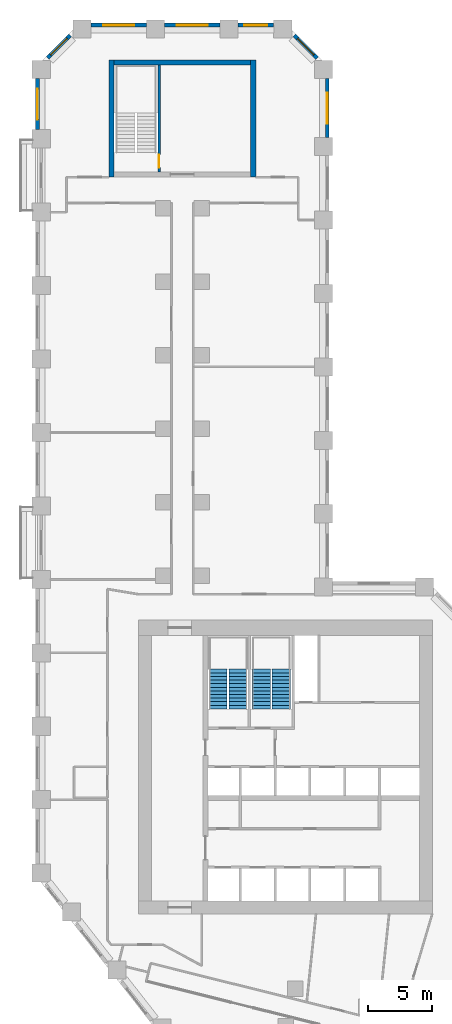
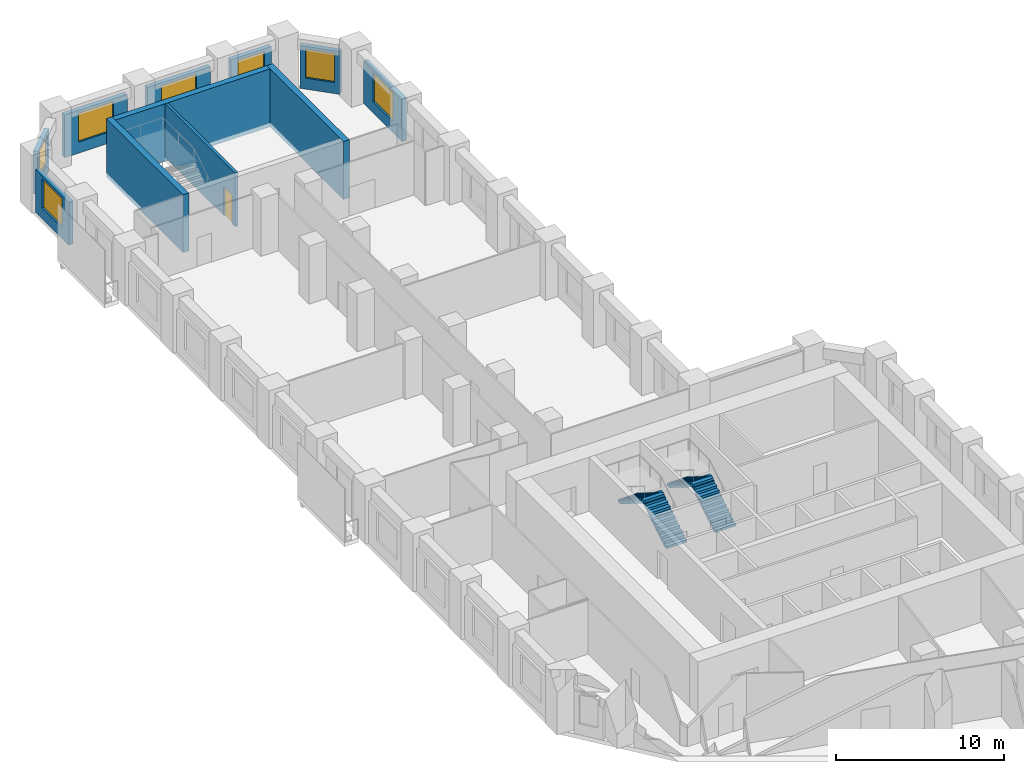
# One storey, part 9 of 11: 11 walls, 7 windows, 4 stair flights, 1 door, 8 openings, 2 elements without a shape of their own.
"""IFC4 building model written with IfcOpenShell, lengths in metres."""

from ifc_helpers import new_model, si_unit, direction, frame, frame_2d, origin, place, context, subcontext, project, spatial, polyline, rectangle, outline, extrude, material, layer, layer_set, type_object, element, fill, aggregate, save


model = new_model("IFC4")

# Units and contexts
model_context = context("Model", 3, precision=1e-05, world=origin(), true_north=direction((0.0, 1.0)))
body_context = subcontext(model_context, "Body", "Model", "MODEL_VIEW")
ifc_project = project(units=[si_unit("LENGTHUNIT", "METRE"), si_unit("AREAUNIT", "SQUARE_METRE"), si_unit("VOLUMEUNIT", "CUBIC_METRE"), si_unit("PLANEANGLEUNIT", "RADIAN"), si_unit("MASSUNIT", "GRAM", prefix="KILO")], contexts=[model_context])

# Site, building, storey
site_placement = place(None, origin())
site = spatial("IfcSite", under=ifc_project, at=site_placement, CompositionType="ELEMENT")
building_placement = place(site_placement, origin())
building = spatial("IfcBuilding", under=site, at=building_placement, Name="Meshkara Civic Tower", CompositionType="ELEMENT")
storey_placement = place(building_placement, frame((0.0, 0.0, 45.60009765625)))
storey = spatial("IfcBuildingStorey", under=building, at=storey_placement, Name="L09", CompositionType="ELEMENT", Elevation=45.60009765625)

# Wall, opening, window
ifc_material_1 = material(Name="Insulated infill panel with bronze anodised aluminium cladding", Category="aluminium")
ifc_layer_1 = layer(ifc_material_1, 0.300048828125)
ifc_layer_set_1 = layer_set([ifc_layer_1], Name="EXTERNAL INFILL WALL 300")
wall_type_1 = type_object("IfcWallType", Name="EXTERNAL INFILL WALL 300", PredefinedType="SOLIDWALL", material=ifc_layer_set_1)
wall_1_placement = place(storey_placement, frame((22.64990234375, 74.35009765625, 0.0), z_axis=(0.0, 0.0, 1.0), x_axis=(0.0, 1.0, 0.0)))
wall_1 = element("IfcWall", 1, at=wall_1_placement, inside=storey, type_object=wall_type_1, Name="External wall", PredefinedType="SOLIDWALL", context=body_context, shape_type="SweptSolid", body=[
    extrude(rectangle(XDim=4.56396484375, YDim=0.300048828125, at=frame_2d((2.281982421875, 0.0))), origin(), (0.0, 0.0, 1.0), 3.099853515625),
])
opening_1_placement = place(wall_1_placement, frame((1.08203125, 0.0, 0.800048828125)))
opening_1 = element("IfcOpeningElement", 2, at=opening_1_placement, cuts=wall_1, Name="Opening W7", PredefinedType="OPENING", context=body_context, shape_type="SweptSolid", body=[
    extrude(rectangle(XDim=2.39990234375, YDim=2.10009765625, at=frame_2d((1.199951171875, 1.050048828125))), frame((0.0, 0.159912109375, 0.0), z_axis=(0.0, -1.0, 0.0), x_axis=(1.0, 0.0, 0.0)), (0.0, 0.0, 1.0), 0.320068359375),
])
ifc_material_2 = material(Name="Tinted double glazing", Category="glass")
window_type_1 = type_object("IfcWindowType", Name="WINDOW 2400x2100", PartitioningType="DOUBLE_PANEL_VERTICAL", PredefinedType="WINDOW", material=ifc_material_2)
window_1_placement = place(opening_1_placement, origin())
window_1 = element("IfcWindow", 3, at=window_1_placement, inside=storey, type_object=window_type_1, Name="Window", OverallHeight=2.10009765625, OverallWidth=2.39990234375, PartitioningType="DOUBLE_PANEL_VERTICAL", PredefinedType="WINDOW", context=body_context, shape_type="SweptSolid", body=[
    extrude(rectangle(XDim=2.39990234375, YDim=2.10009765625, at=frame_2d((1.199951171875, 1.050048828125))), frame((0.0, 0.030029296875, 0.0), z_axis=(0.0, -1.0, 0.0), x_axis=(1.0, 0.0, 0.0)), (0.0, 0.0, 1.0), 0.06005859375),
])
fill(opening_1, window_1)

wall_2_placement = place(storey_placement, frame((21.862060546875, 80.52587890625, 0.0), z_axis=(0.0, 0.0, 1.0), x_axis=(-0.707106781187, 0.707106781187, 0.0)))
wall_2 = element("IfcWall", 4, at=wall_2_placement, inside=storey, type_object=wall_type_1, Name="External wall", PredefinedType="SOLIDWALL", context=body_context, shape_type="SweptSolid", body=[
    extrude(rectangle(XDim=2.4833984375, YDim=0.300048828125, at=frame_2d((1.24169921875, 0.0))), origin(), (0.0, 0.0, 1.0), 3.099853515625),
])
opening_2_placement = place(wall_2_placement, frame((0.342041015625, 0.0, 0.800048828125)))
opening_2 = element("IfcOpeningElement", 5, at=opening_2_placement, cuts=wall_2, Name="Opening W9", PredefinedType="OPENING", context=body_context, shape_type="SweptSolid", body=[
    extrude(rectangle(XDim=1.800048828125, YDim=2.10009765625, at=frame_2d((0.89990234375, 1.050048828125))), frame((0.0, 0.159912109375, 0.0), z_axis=(0.0, -1.0, 0.0), x_axis=(1.0, 0.0, 0.0)), (0.0, 0.0, 1.0), 0.320068359375),
])
ifc_material_3 = material(Name="Tinted double glazing", Category="glass")
window_type_2 = type_object("IfcWindowType", Name="WINDOW 1800x2100", PartitioningType="DOUBLE_PANEL_VERTICAL", PredefinedType="WINDOW", material=ifc_material_3)
window_2_placement = place(opening_2_placement, origin())
window_2 = element("IfcWindow", 6, at=window_2_placement, inside=storey, type_object=window_type_2, Name="Window", OverallHeight=2.10009765625, OverallWidth=1.800048828125, PartitioningType="DOUBLE_PANEL_VERTICAL", PredefinedType="WINDOW", context=body_context, shape_type="SweptSolid", body=[
    extrude(rectangle(XDim=1.800048828125, YDim=2.10009765625, at=frame_2d((0.89990234375, 1.050048828125))), frame((0.0, 0.030029296875, 0.0), z_axis=(0.0, -1.0, 0.0), x_axis=(1.0, 0.0, 0.0)), (0.0, 0.0, 1.0), 0.06005859375),
])
fill(opening_2, window_2)

wall_3_placement = place(storey_placement, frame((18.493896484375, 83.070068359375, 0.0), z_axis=(0.0, 0.0, 1.0), x_axis=(-1.0, 0.0, 0.0)))
wall_3 = element("IfcWall", 7, at=wall_3_placement, inside=storey, type_object=wall_type_1, Name="External wall", PredefinedType="SOLIDWALL", context=body_context, shape_type="SweptSolid", body=[
    extrude(rectangle(XDim=2.787841796875, YDim=0.300048828125, at=frame_2d((1.39404296875, 0.0))), origin(), (0.0, 0.0, 1.0), 3.099853515625),
])
opening_3_placement = place(wall_3_placement, frame((0.493896484375, 0.0, 0.800048828125)))
opening_3 = element("IfcOpeningElement", 8, at=opening_3_placement, cuts=wall_3, Name="Opening W9", PredefinedType="OPENING", context=body_context, shape_type="SweptSolid", body=[
    extrude(rectangle(XDim=1.800048828125, YDim=2.10009765625, at=frame_2d((0.89990234375, 1.050048828125))), frame((0.0, 0.159912109375, 0.0), z_axis=(0.0, -1.0, 0.0), x_axis=(1.0, 0.0, 0.0)), (0.0, 0.0, 1.0), 0.320068359375),
])
window_3_placement = place(opening_3_placement, origin())
window_3 = element("IfcWindow", 9, at=window_3_placement, inside=storey, type_object=window_type_2, Name="Window", OverallHeight=2.10009765625, OverallWidth=1.800048828125, PartitioningType="DOUBLE_PANEL_VERTICAL", PredefinedType="WINDOW", context=body_context, shape_type="SweptSolid", body=[
    extrude(rectangle(XDim=1.800048828125, YDim=2.10009765625, at=frame_2d((0.89990234375, 1.050048828125))), frame((0.0, 0.030029296875, 0.0), z_axis=(0.0, -1.0, 0.0), x_axis=(1.0, 0.0, 0.0)), (0.0, 0.0, 1.0), 0.06005859375),
])
fill(opening_3, window_3)

wall_4_placement = place(storey_placement, frame((14.305908203125, 83.070068359375, 0.0), z_axis=(0.0, 0.0, 1.0), x_axis=(-1.0, 0.0, 0.0)))
wall_4 = element("IfcWall", 10, at=wall_4_placement, inside=storey, type_object=wall_type_1, Name="External wall", PredefinedType="SOLIDWALL", context=body_context, shape_type="SweptSolid", body=[
    extrude(rectangle(XDim=4.2998046875, YDim=0.300048828125, at=frame_2d((2.14990234375, 0.0))), origin(), (0.0, 0.0, 1.0), 3.099853515625),
])
opening_4_placement = place(wall_4_placement, frame((0.949951171875, 0.0, 0.800048828125)))
opening_4 = element("IfcOpeningElement", 11, at=opening_4_placement, cuts=wall_4, Name="Opening W7", PredefinedType="OPENING", context=body_context, shape_type="SweptSolid", body=[
    extrude(rectangle(XDim=2.39990234375, YDim=2.10009765625, at=frame_2d((1.199951171875, 1.050048828125))), frame((0.0, 0.159912109375, 0.0), z_axis=(0.0, -1.0, 0.0), x_axis=(1.0, 0.0, 0.0)), (0.0, 0.0, 1.0), 0.320068359375),
])
window_4_placement = place(opening_4_placement, origin())
window_4 = element("IfcWindow", 12, at=window_4_placement, inside=storey, type_object=window_type_1, Name="Window", OverallHeight=2.10009765625, OverallWidth=2.39990234375, PartitioningType="DOUBLE_PANEL_VERTICAL", PredefinedType="WINDOW", context=body_context, shape_type="SweptSolid", body=[
    extrude(rectangle(XDim=2.39990234375, YDim=2.10009765625, at=frame_2d((1.199951171875, 1.050048828125))), frame((0.0, 0.030029296875, 0.0), z_axis=(0.0, -1.0, 0.0), x_axis=(1.0, 0.0, 0.0)), (0.0, 0.0, 1.0), 0.06005859375),
])
fill(opening_4, window_4)

wall_5_placement = place(storey_placement, frame((8.60595703125, 83.070068359375, 0.0), z_axis=(0.0, 0.0, 1.0), x_axis=(-1.0, 0.0, 0.0)))
wall_5 = element("IfcWall", 13, at=wall_5_placement, inside=storey, type_object=wall_type_1, Name="External wall", PredefinedType="SOLIDWALL", context=body_context, shape_type="SweptSolid", body=[
    extrude(rectangle(XDim=4.300048828125, YDim=0.300048828125, at=frame_2d((2.14990234375, 0.0))), origin(), (0.0, 0.0, 1.0), 3.099853515625),
])
opening_5_placement = place(wall_5_placement, frame((0.949951171875, 0.0, 0.800048828125)))
opening_5 = element("IfcOpeningElement", 14, at=opening_5_placement, cuts=wall_5, Name="Opening W7", PredefinedType="OPENING", context=body_context, shape_type="SweptSolid", body=[
    extrude(rectangle(XDim=2.39990234375, YDim=2.10009765625, at=frame_2d((1.199951171875, 1.050048828125))), frame((0.0, 0.159912109375, 0.0), z_axis=(0.0, -1.0, 0.0), x_axis=(1.0, 0.0, 0.0)), (0.0, 0.0, 1.0), 0.320068359375),
])
window_5_placement = place(opening_5_placement, origin())
window_5 = element("IfcWindow", 15, at=window_5_placement, inside=storey, type_object=window_type_1, Name="Window", OverallHeight=2.10009765625, OverallWidth=2.39990234375, PartitioningType="DOUBLE_PANEL_VERTICAL", PredefinedType="WINDOW", context=body_context, shape_type="SweptSolid", body=[
    extrude(rectangle(XDim=2.39990234375, YDim=2.10009765625, at=frame_2d((1.199951171875, 1.050048828125))), frame((0.0, 0.030029296875, 0.0), z_axis=(0.0, -1.0, 0.0), x_axis=(1.0, 0.0, 0.0)), (0.0, 0.0, 1.0), 0.06005859375),
])
fill(opening_5, window_5)

wall_6_placement = place(storey_placement, frame((2.694091796875, 82.281982421875, 0.0), z_axis=(0.0, 0.0, 1.0), x_axis=(-0.707106781187, -0.707106781187, 0.0)))
wall_6 = element("IfcWall", 16, at=wall_6_placement, inside=storey, type_object=wall_type_1, Name="External wall", PredefinedType="SOLIDWALL", context=body_context, shape_type="SweptSolid", body=[
    extrude(rectangle(XDim=2.4833984375, YDim=0.300048828125, at=frame_2d((1.24169921875, 0.0))), origin(), (0.0, 0.0, 1.0), 3.099853515625),
])
opening_6_placement = place(wall_6_placement, frame((0.342041015625, 0.0, 0.800048828125)))
opening_6 = element("IfcOpeningElement", 17, at=opening_6_placement, cuts=wall_6, Name="Opening W9", PredefinedType="OPENING", context=body_context, shape_type="SweptSolid", body=[
    extrude(rectangle(XDim=1.800048828125, YDim=2.10009765625, at=frame_2d((0.89990234375, 1.050048828125))), frame((0.0, 0.159912109375, 0.0), z_axis=(0.0, -1.0, 0.0), x_axis=(1.0, 0.0, 0.0)), (0.0, 0.0, 1.0), 0.320068359375),
])
window_6_placement = place(opening_6_placement, origin())
window_6 = element("IfcWindow", 18, at=window_6_placement, inside=storey, type_object=window_type_2, Name="Window", OverallHeight=2.10009765625, OverallWidth=1.800048828125, PartitioningType="DOUBLE_PANEL_VERTICAL", PredefinedType="WINDOW", context=body_context, shape_type="SweptSolid", body=[
    extrude(rectangle(XDim=1.800048828125, YDim=2.10009765625, at=frame_2d((0.89990234375, 1.050048828125))), frame((0.0, 0.030029296875, 0.0), z_axis=(0.0, -1.0, 0.0), x_axis=(1.0, 0.0, 0.0)), (0.0, 0.0, 1.0), 0.06005859375),
])
fill(opening_6, window_6)

wall_7_placement = place(storey_placement, frame((0.14990234375, 78.9140625, 0.0), z_axis=(0.0, 0.0, 1.0), x_axis=(0.0, -1.0, 0.0)))
wall_7 = element("IfcWall", 19, at=wall_7_placement, inside=storey, type_object=wall_type_1, Name="External wall", PredefinedType="SOLIDWALL", context=body_context, shape_type="SweptSolid", body=[
    extrude(rectangle(XDim=3.958984375, YDim=0.300048828125, at=frame_2d((1.9794921875, 0.0))), origin(), (0.0, 0.0, 1.0), 3.099853515625),
])
opening_7_placement = place(wall_7_placement, frame((0.780029296875, 0.0, 0.800048828125)))
opening_7 = element("IfcOpeningElement", 20, at=opening_7_placement, cuts=wall_7, Name="Opening W7", PredefinedType="OPENING", context=body_context, shape_type="SweptSolid", body=[
    extrude(rectangle(XDim=2.39990234375, YDim=2.10009765625, at=frame_2d((1.199951171875, 1.050048828125))), frame((0.0, 0.159912109375, 0.0), z_axis=(0.0, -1.0, 0.0), x_axis=(1.0, 0.0, 0.0)), (0.0, 0.0, 1.0), 0.320068359375),
])
window_7_placement = place(opening_7_placement, origin())
window_7 = element("IfcWindow", 21, at=window_7_placement, inside=storey, type_object=window_type_1, Name="Window", OverallHeight=2.10009765625, OverallWidth=2.39990234375, PartitioningType="DOUBLE_PANEL_VERTICAL", PredefinedType="WINDOW", context=body_context, shape_type="SweptSolid", body=[
    extrude(rectangle(XDim=2.39990234375, YDim=2.10009765625, at=frame_2d((1.199951171875, 1.050048828125))), frame((0.0, 0.030029296875, 0.0), z_axis=(0.0, -1.0, 0.0), x_axis=(1.0, 0.0, 0.0)), (0.0, 0.0, 1.0), 0.06005859375),
])
fill(opening_7, window_7)

# Walls
ifc_material_4 = material(Name="Concrete C80", Category="concrete")
ifc_layer_2 = layer(ifc_material_4, 0.39990234375)
ifc_layer_set_2 = layer_set([ifc_layer_2], Name="End core ring wall 400 C80")
wall_type_2 = type_object("IfcWallType", Name="End core ring wall 400 C80", PredefinedType="SHEAR", material=ifc_layer_set_2)
for number, where, z_axis, x_axis, name in (
    (22, (5.89990234375, 71.27001953125, -0.300048828125), (0.0, 0.0, 1.0), (0.0, 1.0, 0.0), "L09-C025"),
    (23, (16.89990234375, 71.27001953125, -0.300048828125), (0.0, 0.0, 1.0), (0.0, 1.0, 0.0), "L09-C026"),
):
    element("IfcWall", number, at=place(storey_placement, frame(where, z_axis=z_axis, x_axis=x_axis)), inside=storey, type_object=wall_type_2, Name=name, PredefinedType="SHEAR", context=body_context, shape_type="SweptSolid", body=[
        extrude(rectangle(XDim=9.10009765625, YDim=0.39990234375, at=frame_2d((4.550048828125, 0.0))), origin(), (0.0, 0.0, 1.0), 4.199951171875),
    ])
wall_8_placement = place(storey_placement, frame((6.10009765625, 80.169921875, -0.300048828125), z_axis=(0.0, 0.0, 1.0), x_axis=(1.0, 0.0, 0.0)))
element("IfcWall", 24, at=wall_8_placement, inside=storey, type_object=wall_type_2, Name="L09-C028", PredefinedType="SHEAR", context=body_context, shape_type="SweptSolid", body=[
    extrude(rectangle(XDim=10.599853515625, YDim=0.39990234375, at=frame_2d((5.2998046875, 0.0))), origin(), (0.0, 0.0, 1.0), 4.199951171875),
])

# Wall, opening, door
ifc_material_5 = material(Name="Concrete C40/50", Category="concrete")
ifc_layer_3 = layer(ifc_material_5, 0.199951171875)
ifc_layer_set_3 = layer_set([ifc_layer_3], Name="Stair enclosure wall 200 C40/50")
wall_type_3 = type_object("IfcWallType", Name="Stair enclosure wall 200 C40/50", PredefinedType="SOLIDWALL", material=ifc_layer_set_3)
wall_9_placement = place(storey_placement, frame((9.60009765625, 71.669921875, 0.0), z_axis=(0.0, 0.0, 1.0), x_axis=(0.0, 1.0, 0.0)))
wall_9 = element("IfcWall", 25, at=wall_9_placement, inside=storey, type_object=wall_type_3, Name="L09-C029", PredefinedType="SOLIDWALL", context=body_context, shape_type="SweptSolid", body=[
    extrude(rectangle(XDim=8.300048828125, YDim=0.199951171875, at=frame_2d((4.14990234375, 0.0))), origin(), (0.0, 0.0, 1.0), 3.89990234375),
])
opening_8_placement = place(wall_9_placement, frame((0.35009765625, 0.0, 0.0)))
opening_8 = element("IfcOpeningElement", 26, at=opening_8_placement, cuts=wall_9, Name="Opening L09-K101", PredefinedType="OPENING", context=body_context, shape_type="SweptSolid", body=[
    extrude(rectangle(XDim=1.0, YDim=2.10009765625, at=frame_2d((0.5, 1.050048828125))), frame((0.0, 0.10986328125, 0.0), z_axis=(0.0, -1.0, 0.0), x_axis=(1.0, 0.0, 0.0)), (0.0, 0.0, 1.0), 0.219970703125),
])
ifc_material_6 = material(Name="Fire-rated door leaf in steel frame", Category="steel")
door_type = type_object("IfcDoorType", Name="Stair door 1000 EI 120", OperationType="SINGLE_SWING_LEFT", PredefinedType="DOOR", material=ifc_material_6)
door_placement = place(opening_8_placement, origin())
door = element("IfcDoor", 27, at=door_placement, inside=storey, type_object=door_type, Name="L09-K101", OperationType="SINGLE_SWING_RIGHT", OverallHeight=2.10009765625, OverallWidth=1.0, PredefinedType="DOOR", context=body_context, shape_type="SweptSolid", body=[
    extrude(rectangle(XDim=1.0, YDim=2.10009765625, at=frame_2d((0.5, 1.050048828125))), frame((0.0, 0.02490234375, 0.0), z_axis=(0.0, -1.0, 0.0), x_axis=(1.0, 0.0, 0.0)), (0.0, 0.0, 1.0), 0.050048828125),
])
fill(opening_8, door)

# Stair, stair flights
ifc_material_7 = material(Name="Precast concrete C40/50", Category="concrete")
stair_type = type_object("IfcStairType", Name="Exit stair half-turn 24 risers precast", PredefinedType="HALF_TURN_STAIR", material=ifc_material_7)
stair_1_placement = place(storey_placement, origin())
stair_1 = element("IfcStair", 28, at=stair_1_placement, inside=storey, type_object=stair_type, Name="L09 exit stair 1", PredefinedType="HALF_TURN_STAIR")
ifc_material_8 = material(Name="Precast concrete C40/50", Category="concrete")
stair_flight_type = type_object("IfcStairFlightType", Name="Exit stair flight 12 risers precast", PredefinedType="STRAIGHT", material=ifc_material_8)
stair_flight_1_placement = place(storey_placement, frame((15.72509765625, 30.0, 0.0), z_axis=(0.0, 0.0, 1.0), x_axis=(0.0, 1.0, 0.0)))
stair_flight_1 = element("IfcStairFlight", 29, at=stair_flight_1_placement, type_object=stair_flight_type, Name="ST1 flight 1", NumberOfRisers=12, NumberOfTreads=11, PredefinedType="STRAIGHT", RiserHeight=0.175, TreadLength=0.28, context=body_context, shape_type="SweptSolid", body=[
    extrude(outline(polyline([(0.0, 0.0), (0.0, 0.175048828125), (0.280029296875, 0.175048828125), (0.280029296875, 0.35009765625), (0.56005859375, 0.35009765625), (0.56005859375, 0.52490234375), (0.840087890625, 0.52490234375), (0.840087890625, 0.699951171875), (1.1201171875, 0.699951171875), (1.1201171875, 0.875), (1.39990234375, 0.875), (1.39990234375, 1.050048828125), (1.679931640625, 1.050048828125), (1.679931640625, 1.22509765625), (1.9599609375, 1.22509765625), (1.9599609375, 1.39990234375), (2.239990234375, 1.39990234375), (2.239990234375, 1.574951171875), (2.52001953125, 1.574951171875), (2.52001953125, 1.75), (2.800048828125, 1.75), (2.800048828125, 1.925048828125), (3.080078125, 1.925048828125), (3.080078125, 2.10009765625), (3.080078125, 1.748291015625), (0.28271484375, 0.0), (0.0, 0.0)])), frame((0.0, 0.699951171875, 0.0), z_axis=(0.0, -1.0, 0.0), x_axis=(1.0, 0.0, 0.0)), (0.0, 0.0, 1.0), 1.39990234375),
])
stair_flight_2_placement = place(storey_placement, frame((14.175048828125, 33.080078125, 2.099853515625), z_axis=(0.0, 0.0, 1.0), x_axis=(0.0, -1.0, 0.0)))
stair_flight_2 = element("IfcStairFlight", 30, at=stair_flight_2_placement, type_object=stair_flight_type, Name="ST1 flight 2", NumberOfRisers=12, NumberOfTreads=11, PredefinedType="STRAIGHT", RiserHeight=0.175, TreadLength=0.28, context=body_context, shape_type="SweptSolid", body=[
    extrude(outline(polyline([(0.0, 0.0), (0.0, 0.175048828125), (0.280029296875, 0.175048828125), (0.280029296875, 0.35009765625), (0.56005859375, 0.35009765625), (0.56005859375, 0.52490234375), (0.840087890625, 0.52490234375), (0.840087890625, 0.699951171875), (1.1201171875, 0.699951171875), (1.1201171875, 0.875), (1.39990234375, 0.875), (1.39990234375, 1.050048828125), (1.679931640625, 1.050048828125), (1.679931640625, 1.22509765625), (1.9599609375, 1.22509765625), (1.9599609375, 1.39990234375), (2.239990234375, 1.39990234375), (2.239990234375, 1.574951171875), (2.52001953125, 1.574951171875), (2.52001953125, 1.75), (2.800048828125, 1.75), (2.800048828125, 1.925048828125), (3.080078125, 1.925048828125), (3.080078125, 2.10009765625), (3.080078125, 1.748291015625), (0.28271484375, 0.0), (0.0, 0.0)])), frame((0.0, 0.699951171875, 0.0), z_axis=(0.0, -1.0, 0.0), x_axis=(1.0, 0.0, 0.0)), (0.0, 0.0, 1.0), 1.39990234375),
])
aggregate(stair_1, [stair_flight_1, stair_flight_2])

stair_2_placement = place(storey_placement, origin())
stair_2 = element("IfcStair", 31, at=stair_2_placement, inside=storey, type_object=stair_type, Name="L09 exit stair 2", PredefinedType="HALF_TURN_STAIR")
stair_flight_3_placement = place(storey_placement, frame((19.074951171875, 30.0, 0.0), z_axis=(0.0, 0.0, 1.0), x_axis=(0.0, 1.0, 0.0)))
stair_flight_3 = element("IfcStairFlight", 32, at=stair_flight_3_placement, type_object=stair_flight_type, Name="ST2 flight 1", NumberOfRisers=12, NumberOfTreads=11, PredefinedType="STRAIGHT", RiserHeight=0.175, TreadLength=0.28, context=body_context, shape_type="SweptSolid", body=[
    extrude(outline(polyline([(0.0, 0.0), (0.0, 0.175048828125), (0.280029296875, 0.175048828125), (0.280029296875, 0.35009765625), (0.56005859375, 0.35009765625), (0.56005859375, 0.52490234375), (0.840087890625, 0.52490234375), (0.840087890625, 0.699951171875), (1.1201171875, 0.699951171875), (1.1201171875, 0.875), (1.39990234375, 0.875), (1.39990234375, 1.050048828125), (1.679931640625, 1.050048828125), (1.679931640625, 1.22509765625), (1.9599609375, 1.22509765625), (1.9599609375, 1.39990234375), (2.239990234375, 1.39990234375), (2.239990234375, 1.574951171875), (2.52001953125, 1.574951171875), (2.52001953125, 1.75), (2.800048828125, 1.75), (2.800048828125, 1.925048828125), (3.080078125, 1.925048828125), (3.080078125, 2.10009765625), (3.080078125, 1.748291015625), (0.28271484375, 0.0), (0.0, 0.0)])), frame((0.0, 0.699951171875, 0.0), z_axis=(0.0, -1.0, 0.0), x_axis=(1.0, 0.0, 0.0)), (0.0, 0.0, 1.0), 1.39990234375),
])
stair_flight_4_placement = place(storey_placement, frame((17.52490234375, 33.080078125, 2.099853515625), z_axis=(0.0, 0.0, 1.0), x_axis=(0.0, -1.0, 0.0)))
stair_flight_4 = element("IfcStairFlight", 33, at=stair_flight_4_placement, type_object=stair_flight_type, Name="ST2 flight 2", NumberOfRisers=12, NumberOfTreads=11, PredefinedType="STRAIGHT", RiserHeight=0.175, TreadLength=0.28, context=body_context, shape_type="SweptSolid", body=[
    extrude(outline(polyline([(0.0, 0.0), (0.0, 0.175048828125), (0.280029296875, 0.175048828125), (0.280029296875, 0.35009765625), (0.56005859375, 0.35009765625), (0.56005859375, 0.52490234375), (0.840087890625, 0.52490234375), (0.840087890625, 0.699951171875), (1.1201171875, 0.699951171875), (1.1201171875, 0.875), (1.39990234375, 0.875), (1.39990234375, 1.050048828125), (1.679931640625, 1.050048828125), (1.679931640625, 1.22509765625), (1.9599609375, 1.22509765625), (1.9599609375, 1.39990234375), (2.239990234375, 1.39990234375), (2.239990234375, 1.574951171875), (2.52001953125, 1.574951171875), (2.52001953125, 1.75), (2.800048828125, 1.75), (2.800048828125, 1.925048828125), (3.080078125, 1.925048828125), (3.080078125, 2.10009765625), (3.080078125, 1.748291015625), (0.28271484375, 0.0), (0.0, 0.0)])), frame((0.0, 0.699951171875, 0.0), z_axis=(0.0, -1.0, 0.0), x_axis=(1.0, 0.0, 0.0)), (0.0, 0.0, 1.0), 1.39990234375),
])
aggregate(stair_2, [stair_flight_3, stair_flight_4])

save(model, "model.ifc")
